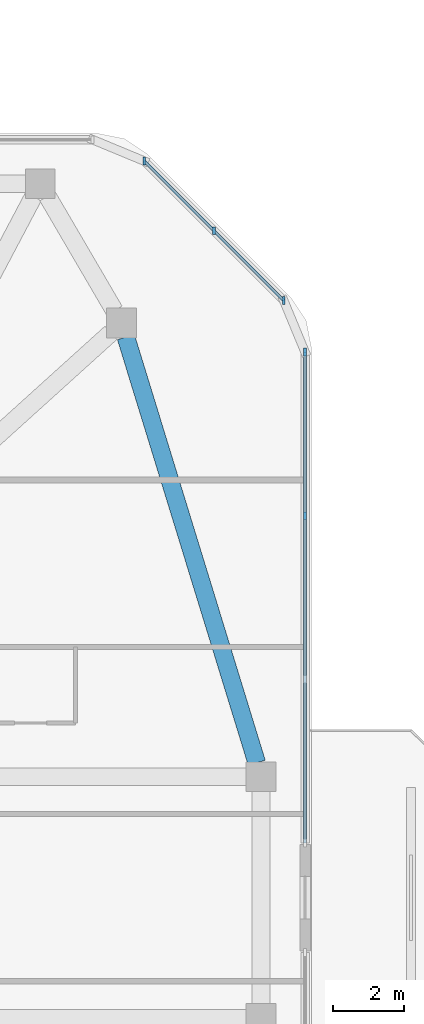
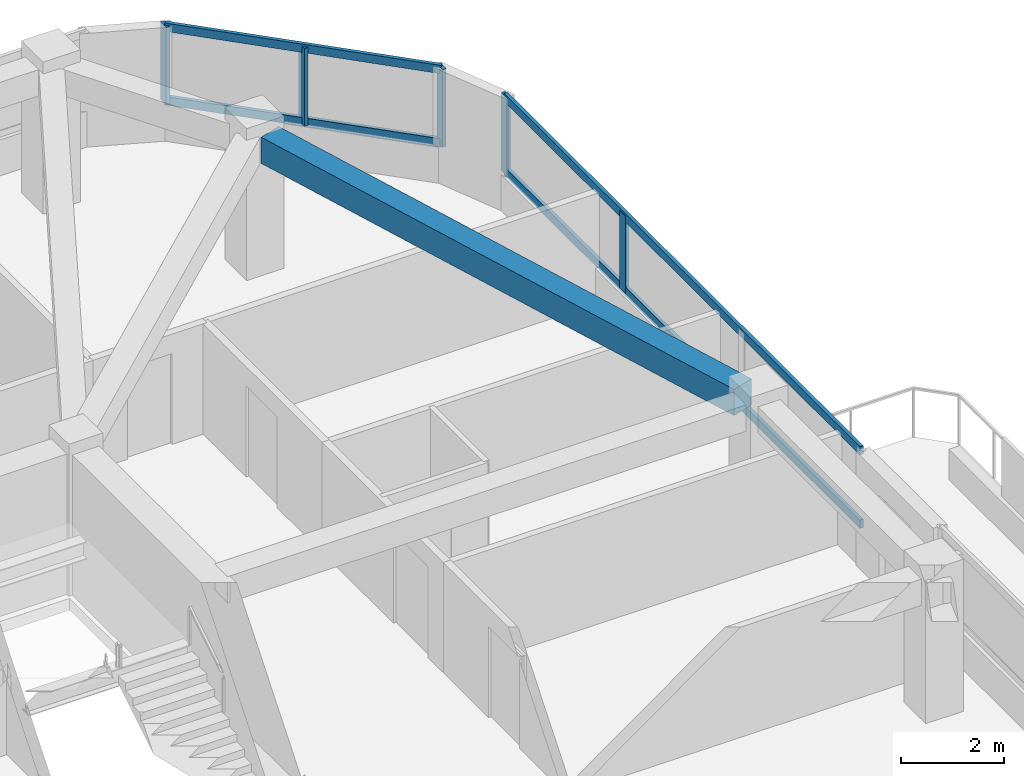
# One storey, part 7 of 14: 9 members, 1 beam, 2 elements without a shape of their own.
"""IFC4 building model written with IfcOpenShell, lengths in metres."""

import ifcopenshell
import ifcopenshell.guid

model = None  # the IFC model being written
_history = None  # IfcOwnerHistory: only IFC2X3 demands one
_inside = {}  # id of a spatial element -> (the spatial element, [elements in it])
_under = {}  # id of a project, library or spatial element -> (it, [spatial elements below it])
_declared = {}  # id of a project -> (the project, [libraries it declares])
_typed = {}  # id of a type object -> (the type object, [elements of that type])
_made_of = {}  # id of a material, layer set ... -> (it, [elements and type objects made of it])


def new_model(schema):
    """Start an empty IFC model of exactly this schema.

    Asked for "IFC4X3", IfcOpenShell would pick the latest addendum, in which some entities
    have other attributes; the version numbers below select the first issue.
    IFC2X3 requires an IfcOwnerHistory on every rooted entity: one is made here for all.
    """
    global model, _history
    if schema == "IFC4X3":
        model = ifcopenshell.file(schema_version=(4, 3, 0, 0))
    else:
        model = ifcopenshell.file(schema=schema)
    _inside.clear()
    _under.clear()
    _declared.clear()
    _typed.clear()
    _made_of.clear()
    _history = None
    if model.schema == "IFC2X3":
        org = make("IfcOrganization", Name="unknown")
        user = make(
            "IfcPersonAndOrganization",
            ThePerson=make("IfcPerson", FamilyName="unknown"),
            TheOrganization=org,
        )
        app = make(
            "IfcApplication",
            ApplicationDeveloper=org,
            Version="unknown",
            ApplicationFullName="unknown",
            ApplicationIdentifier="unknown",
        )
        _history = make(
            "IfcOwnerHistory",
            OwningUser=user,
            OwningApplication=app,
            ChangeAction="ADDED",
            CreationDate=0,
        )
    return model


def make(cls, **values):
    """One entity of the class cls with the attributes given. An attribute that is None is left unset."""
    return model.create_entity(
        cls, **{name: value for name, value in values.items() if value is not None}
    )


def rooted(cls, **values):
    """An entity with a GlobalId (a new one), such as an element, a storey or a relation."""
    return make(cls, GlobalId=ifcopenshell.guid.new(), OwnerHistory=_history, **values)


def si_unit(unit_type, name, prefix=None):
    """IfcSIUnit, for example si_unit("LENGTHUNIT", "METRE", prefix="MILLI")."""
    return make("IfcSIUnit", UnitType=unit_type, Prefix=prefix, Name=name)


def derived_unit(unit_type, elements):
    """IfcDerivedUnit: a product of units, each with its exponent."""
    return make(
        "IfcDerivedUnit",
        Elements=[
            make("IfcDerivedUnitElement", Unit=unit, Exponent=power)
            for unit, power in elements
        ],
        UnitType=unit_type,
    )


def assignment(units):
    """IfcUnitAssignment: the units of a project."""
    return None if units is None else make("IfcUnitAssignment", Units=units)


def point(xyz):
    """IfcCartesianPoint."""
    return None if xyz is None else make("IfcCartesianPoint", Coordinates=xyz)


def direction(xyz):
    """IfcDirection."""
    return None if xyz is None else make("IfcDirection", DirectionRatios=xyz)


def frame(location, z_axis=None, x_axis=None):
    """IfcAxis2Placement3D, a coordinate frame: its origin and axes. An axis left out is left unset."""
    return make(
        "IfcAxis2Placement3D",
        Location=point(location),
        Axis=direction(z_axis),
        RefDirection=direction(x_axis),
    )


def frame_2d(location, x_axis=None):
    """IfcAxis2Placement2D, a coordinate frame in the plane: its origin and x axis."""
    return make(
        "IfcAxis2Placement2D", Location=point(location), RefDirection=direction(x_axis)
    )


def origin():
    """The frame at (0, 0, 0) with its axes left unset."""
    return frame((0.0, 0.0, 0.0))


def origin_2d():
    """The frame at (0, 0) in the plane with its x axis left unset."""
    return frame_2d((0.0, 0.0))


def place(relative_to, where):
    """IfcLocalPlacement: puts the frame where relative to a parent placement (None: the world)."""
    return make(
        "IfcLocalPlacement", PlacementRelTo=relative_to, RelativePlacement=where
    )


def context(
    kind, dimensions, precision=None, world=None, true_north=None, identifier=None
):
    """IfcGeometricRepresentationContext, for example the 3D "Model" context."""
    return make(
        "IfcGeometricRepresentationContext",
        ContextIdentifier=identifier,
        ContextType=kind,
        CoordinateSpaceDimension=dimensions,
        Precision=precision,
        WorldCoordinateSystem=world,
        TrueNorth=true_north,
    )


def subcontext(parent, identifier, kind, view, scale=None):
    """IfcGeometricRepresentationSubContext, for example "Body" below "Model"."""
    return make(
        "IfcGeometricRepresentationSubContext",
        ContextIdentifier=identifier,
        ContextType=kind,
        ParentContext=parent,
        TargetScale=scale,
        TargetView=view,
    )


def project(units=None, contexts=None):
    """IfcProject with its units and contexts."""
    return rooted(
        "IfcProject",
        Name="project",
        RepresentationContexts=contexts,
        UnitsInContext=assignment(units),
    )


def spatial(cls, under=None, at=None, **own):
    """A site, building, storey or space (cls), placed at a placement, below another one or the project."""
    s = rooted(cls, ObjectPlacement=at, **own)
    if under is not None:
        _under.setdefault(under.id(), (under, []))[1].append(s)
    return s


def profile(cls, at=None, kind="AREA", **sizes):
    """A parametric profile (cls). Its sizes go by their IFC names, for example OverallWidth=200.0."""
    return make(cls, ProfileType=kind, Position=at, **sizes)


def rectangle(**sizes):
    """IfcRectangleProfileDef."""
    return profile("IfcRectangleProfileDef", **sizes)


def extrude(swept, where, along, depth):
    """IfcExtrudedAreaSolid: the profile swept, set in the frame where, extruded along a direction by depth."""
    return make(
        "IfcExtrudedAreaSolid",
        SweptArea=swept,
        Position=where,
        ExtrudedDirection=direction(along),
        Depth=depth,
    )


def shape(context_of_items, identifier, shape_type, items):
    """IfcShapeRepresentation: the items that make up one representation, for example the "Body"."""
    return make(
        "IfcShapeRepresentation",
        ContextOfItems=context_of_items,
        RepresentationIdentifier=identifier,
        RepresentationType=shape_type,
        Items=items,
    )


def material(Name=None, Category=None):
    """IfcMaterial."""
    return make("IfcMaterial", Name=Name, Category=Category)


def material_profile(
    of_material, cross_section, Name=None, Category=None, Priority=None
):
    """IfcMaterialProfile: a cross section and its material."""
    return make(
        "IfcMaterialProfile",
        Name=Name,
        Material=of_material,
        Profile=cross_section,
        Priority=Priority,
        Category=Category,
    )


def profile_set(profiles, Name=None, composite=None):
    """IfcMaterialProfileSet."""
    return make(
        "IfcMaterialProfileSet",
        Name=Name,
        MaterialProfiles=profiles,
        CompositeProfile=composite,
    )


def made_of(thing, what):
    """Note that an element or type object is made of a material, layer set ...; save() writes the relation."""
    if what is not None:
        _made_of.setdefault(what.id(), (what, []))[1].append(thing)
    return thing


def type_object(cls, material=None, **own):
    """A type object (cls), such as IfcWallType, which elements share."""
    return made_of(rooted(cls, **own), material)


def element(
    cls,
    number,
    at=None,
    inside=None,
    cuts=None,
    type_object=None,
    material=None,
    context=None,
    identifier="Body",
    shape_type=None,
    held_by="IfcProductDefinitionShape",
    body=None,
    shapes=None,
    **own,
):
    """One element of the class cls, such as IfcWall. Its Tag is "e" and its number.

    at: its placement. inside: the storey or other place that contains it. cuts: it is an
    opening in that element (IfcRelVoidsElement). A single representation is given by context,
    identifier, shape_type and body (its items); several are given by shapes. held_by: the class
    of the entity that holds the representations. save() writes the other relations.
    """
    e = rooted(cls, Tag="e%d" % number, ObjectPlacement=at, **own)
    if body is not None:
        shapes = [shape(context, identifier, shape_type, body)]
    if shapes is not None:
        e.Representation = make(held_by, Representations=shapes)
    if inside is not None:
        _inside.setdefault(inside.id(), (inside, []))[1].append(e)
    if cuts is not None:
        rooted(
            "IfcRelVoidsElement", RelatingBuildingElement=cuts, RelatedOpeningElement=e
        )
    if type_object is not None:
        _typed.setdefault(type_object.id(), (type_object, []))[1].append(e)
    return made_of(e, material)


def aggregate(whole, parts):
    """IfcRelAggregates: a whole, such as a stair, and the parts it consists of."""
    return rooted("IfcRelAggregates", RelatingObject=whole, RelatedObjects=parts)


def save(model, path):
    """Write the relations noted so far, then the file.

    IfcRelAggregates (storeys below a building ...), IfcRelContainedInSpatialStructure (elements
    in a storey), IfcRelDefinesByType, IfcRelAssociatesMaterial and IfcRelDeclares: one each for
    every whole, place, type object, material and project.
    """
    for whole, parts in _under.values():
        aggregate(whole, parts)
    for where, things in _inside.values():
        rooted(
            "IfcRelContainedInSpatialStructure",
            RelatedElements=things,
            RelatingStructure=where,
        )
    for kind, things in _typed.values():
        rooted("IfcRelDefinesByType", RelatedObjects=things, RelatingType=kind)
    for what, things in _made_of.values():
        rooted("IfcRelAssociatesMaterial", RelatedObjects=things, RelatingMaterial=what)
    for by, libraries in _declared.values():
        rooted("IfcRelDeclares", RelatingContext=by, RelatedDefinitions=libraries)
    model.write(path)


model = new_model("IFC4")

# Units and contexts
model_context = context("Model", 3, precision=1e-05, world=origin(), true_north=direction((0.0, 1.0)))
body_context = subcontext(model_context, "Body", "Model", "MODEL_VIEW")
ifc_project = project(units=[si_unit("LENGTHUNIT", "METRE"), si_unit("AREAUNIT", "SQUARE_METRE"), si_unit("VOLUMEUNIT", "CUBIC_METRE"), si_unit("PLANEANGLEUNIT", "RADIAN"), si_unit("MASSUNIT", "GRAM", prefix="KILO"), derived_unit("THERMALTRANSMITTANCEUNIT", [(si_unit("POWERUNIT", "WATT"), 1), (si_unit("LENGTHUNIT", "METRE"), -2), (si_unit("THERMODYNAMICTEMPERATUREUNIT", "KELVIN"), -1)])], contexts=[model_context])

# Site, building, storey
site_placement = place(None, origin())
site = spatial("IfcSite", under=ifc_project, at=site_placement, CompositionType="ELEMENT")
building_placement = place(site_placement, origin())
building = spatial("IfcBuilding", under=site, at=building_placement, Name="Koralith Skygarden Medical Center", CompositionType="ELEMENT")
storey_placement = place(building_placement, frame((0.0, 0.0, 260.820068359375)))
storey = spatial("IfcBuildingStorey", under=building, at=storey_placement, Name="L67", CompositionType="ELEMENT", Elevation=260.820068359375)

# Curtain wall, members
ifc_material_1 = material(Name="Clear Laminated Glass", Category="glass")
curtain_wall_type = type_object("IfcCurtainWallType", Name="CW-6 Zone 5 Upper Clinical Curtain Wall", PredefinedType="NOTDEFINED", material=ifc_material_1)
curtain_wall_1_placement = place(storey_placement, origin())
curtain_wall_1 = element("IfcCurtainWall", 1, at=curtain_wall_1_placement, inside=storey, type_object=curtain_wall_type, Name="Curtain Wall CW-L67-E-R", PredefinedType="NOTDEFINED")
ifc_material_2 = material(Name="Aluminium 6063-T6", Category="aluminium")
ifc_material_profile_1 = material_profile(ifc_material_2, rectangle(XDim=0.0830078125, YDim=0.219970703125, at=origin_2d()), Name="MUL83X220")
ifc_profile_set_1 = profile_set([ifc_material_profile_1], Name="Aluminium 6063-T6")
member_type_1 = type_object("IfcMemberType", Name="CW-6 Extruded Mullion 83x220", PredefinedType="MULLION", material=ifc_profile_set_1)
member_1_placement = place(storey_placement, frame((61.719970703125, 36.64306640625, 0.849853515625), z_axis=(0.0, 0.0, 1.0), x_axis=(1.0, 0.0, 0.0)))
member_1 = element("IfcMember", 2, at=member_1_placement, type_object=member_type_1, Name="CW-L67-E-R Mullion 3", PredefinedType="MULLION", context=body_context, shape_type="SweptSolid", body=[
    extrude(rectangle(XDim=0.0830078125, YDim=0.219970703125, at=origin_2d()), origin(), (0.0, 0.0, 1.0), 1.840087890625),
])
member_2_placement = place(storey_placement, frame((61.719970703125, 41.2451171875, 0.849853515625), z_axis=(0.0, 0.0, 1.0), x_axis=(1.0, 0.0, 0.0)))
member_2 = element("IfcMember", 3, at=member_2_placement, type_object=member_type_1, Name="CW-L67-E-R Mullion 4", PredefinedType="MULLION", context=body_context, shape_type="SweptSolid", body=[
    extrude(rectangle(XDim=0.0830078125, YDim=0.219970703125, at=origin_2d()), origin(), (0.0, 0.0, 1.0), 1.840087890625),
])

curtain_wall_2_placement = place(storey_placement, origin())
curtain_wall_2 = element("IfcCurtainWall", 4, at=curtain_wall_2_placement, inside=storey, type_object=curtain_wall_type, Name="Curtain Wall CW-L67-NE", PredefinedType="NOTDEFINED")
member_3_placement = place(storey_placement, frame((61.118896484375, 42.696044921875, 0.849853515625), z_axis=(0.0, 0.0, 1.0), x_axis=(1.0, 0.0, 0.0)))
member_3 = element("IfcMember", 5, at=member_3_placement, type_object=member_type_1, Name="CW-L67-NE Mullion 1", PredefinedType="MULLION", context=body_context, shape_type="SweptSolid", body=[
    extrude(rectangle(XDim=0.0830078125, YDim=0.219970703125, at=origin_2d()), origin(), (0.0, 0.0, 1.0), 1.840087890625),
])
member_4_placement = place(storey_placement, frame((59.156982421875, 44.656982421875, 0.849853515625), z_axis=(0.0, 0.0, 1.0), x_axis=(1.0, 0.0, 0.0)))
member_4 = element("IfcMember", 6, at=member_4_placement, type_object=member_type_1, Name="CW-L67-NE Mullion 2", PredefinedType="MULLION", context=body_context, shape_type="SweptSolid", body=[
    extrude(rectangle(XDim=0.0830078125, YDim=0.219970703125, at=origin_2d()), origin(), (0.0, 0.0, 1.0), 1.840087890625),
])
member_5_placement = place(storey_placement, frame((57.196044921875, 46.618896484375, 0.849853515625), z_axis=(0.0, 0.0, 1.0), x_axis=(1.0, 0.0, 0.0)))
member_5 = element("IfcMember", 7, at=member_5_placement, type_object=member_type_1, Name="CW-L67-NE Mullion 3", PredefinedType="MULLION", context=body_context, shape_type="SweptSolid", body=[
    extrude(rectangle(XDim=0.0830078125, YDim=0.219970703125, at=origin_2d()), origin(), (0.0, 0.0, 1.0), 1.840087890625),
])

# Member
ifc_material_profile_2 = material_profile(ifc_material_2, rectangle(XDim=0.077880859375, YDim=0.197998046875, at=origin_2d()), Name="TRN78X198")
ifc_profile_set_2 = profile_set([ifc_material_profile_2], Name="Aluminium 6063-T6")
member_type_2 = type_object("IfcMemberType", Name="CW-6 Thermal Transom 78x198", PredefinedType="USERDEFINED", material=ifc_profile_set_2)
member_6_placement = place(storey_placement, frame((61.719970703125, 27.43994140625, 0.89990234375), z_axis=(0.0, 1.0, 0.0), x_axis=(-1.0, 0.0, 0.0)))
member_6 = element("IfcMember", 8, at=member_6_placement, type_object=member_type_2, Name="CW-L67-E-R Transom 1", ObjectType="TRANSOM", PredefinedType="USERDEFINED", context=body_context, shape_type="SweptSolid", body=[
    extrude(rectangle(XDim=0.077880859375, YDim=0.197998046875, at=origin_2d()), origin(), (0.0, 0.0, 1.0), 13.80517578125),
])

member_7_placement = place(storey_placement, frame((61.719970703125, 27.43994140625, 2.639892578125), z_axis=(0.0, 1.0, 0.0), x_axis=(-1.0, 0.0, 0.0)))
member_7 = element("IfcMember", 9, at=member_7_placement, type_object=member_type_2, Name="CW-L67-E-R Transom 2", ObjectType="TRANSOM", PredefinedType="USERDEFINED", context=body_context, shape_type="SweptSolid", body=[
    extrude(rectangle(XDim=0.077880859375, YDim=0.197998046875, at=origin_2d()), origin(), (0.0, 0.0, 1.0), 13.80517578125),
])

aggregate(curtain_wall_1, [member_1, member_2, member_6, member_7])

member_8_placement = place(storey_placement, frame((61.118896484375, 42.696044921875, 0.89990234375), z_axis=(-0.707106781187, 0.707106781187, 0.0), x_axis=(-0.707106781187, -0.707106781187, 0.0)))
member_8 = element("IfcMember", 10, at=member_8_placement, type_object=member_type_2, Name="CW-L67-NE Transom 1", ObjectType="TRANSOM", PredefinedType="USERDEFINED", context=body_context, shape_type="SweptSolid", body=[
    extrude(rectangle(XDim=0.077880859375, YDim=0.197998046875, at=origin_2d()), origin(), (0.0, 0.0, 1.0), 5.5478515625),
])

member_9_placement = place(storey_placement, frame((61.118896484375, 42.696044921875, 2.639892578125), z_axis=(-0.707106781187, 0.707106781187, 0.0), x_axis=(-0.707106781187, -0.707106781187, 0.0)))
member_9 = element("IfcMember", 11, at=member_9_placement, type_object=member_type_2, Name="CW-L67-NE Transom 2", ObjectType="TRANSOM", PredefinedType="USERDEFINED", context=body_context, shape_type="SweptSolid", body=[
    extrude(rectangle(XDim=0.077880859375, YDim=0.197998046875, at=origin_2d()), origin(), (0.0, 0.0, 1.0), 5.5478515625),
])

aggregate(curtain_wall_2, [member_3, member_4, member_5, member_8, member_9])

# Beam
ifc_material_3 = material(Name="Concrete C45/55", Category="concrete")
ifc_material_profile_3 = material_profile(ifc_material_3, rectangle(XDim=0.5, YDim=0.6201171875, at=origin_2d()), Name="RCB500X620")
ifc_profile_set_3 = profile_set([ifc_material_profile_3], Name="Concrete C45/55")
beam_type = type_object("IfcBeamType", Name="Zone 4-5 Spandrel Beam RCB500X620", PredefinedType="SPANDREL", material=ifc_profile_set_3)
beam_placement = place(storey_placement, frame((60.360107421875, 29.69189453125, 3.010009765625), z_axis=(-0.293738023424, 0.955885962652, 0.0), x_axis=(-0.955885962652, -0.293738023424, 0.0)))
element("IfcBeam", 12, at=beam_placement, inside=storey, type_object=beam_type, Name="L67 Perimeter Spandrel Beam SP-09", PredefinedType="SPANDREL", context=body_context, shape_type="SweptSolid", body=[
    extrude(rectangle(XDim=0.5, YDim=0.6201171875, at=origin_2d()), origin(), (0.0, 0.0, 1.0), 12.52880859375),
])

save(model, "model.ifc")
